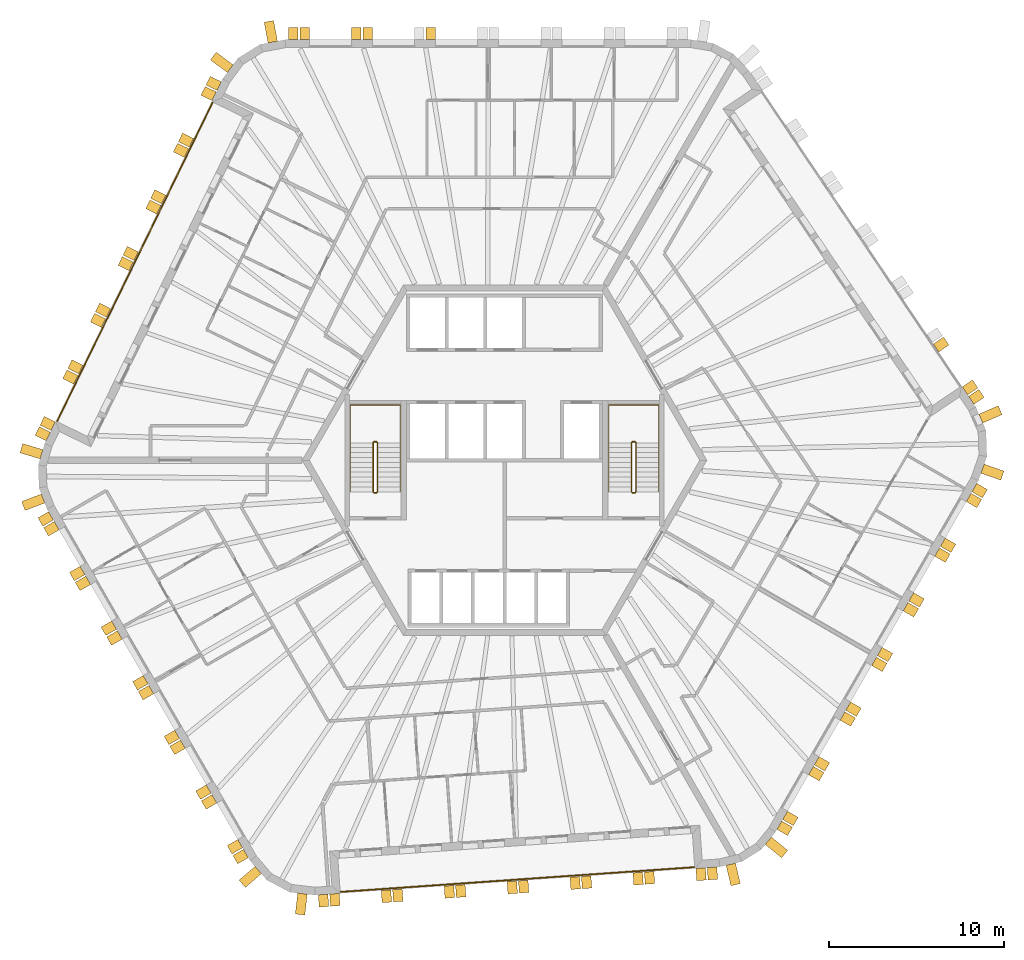
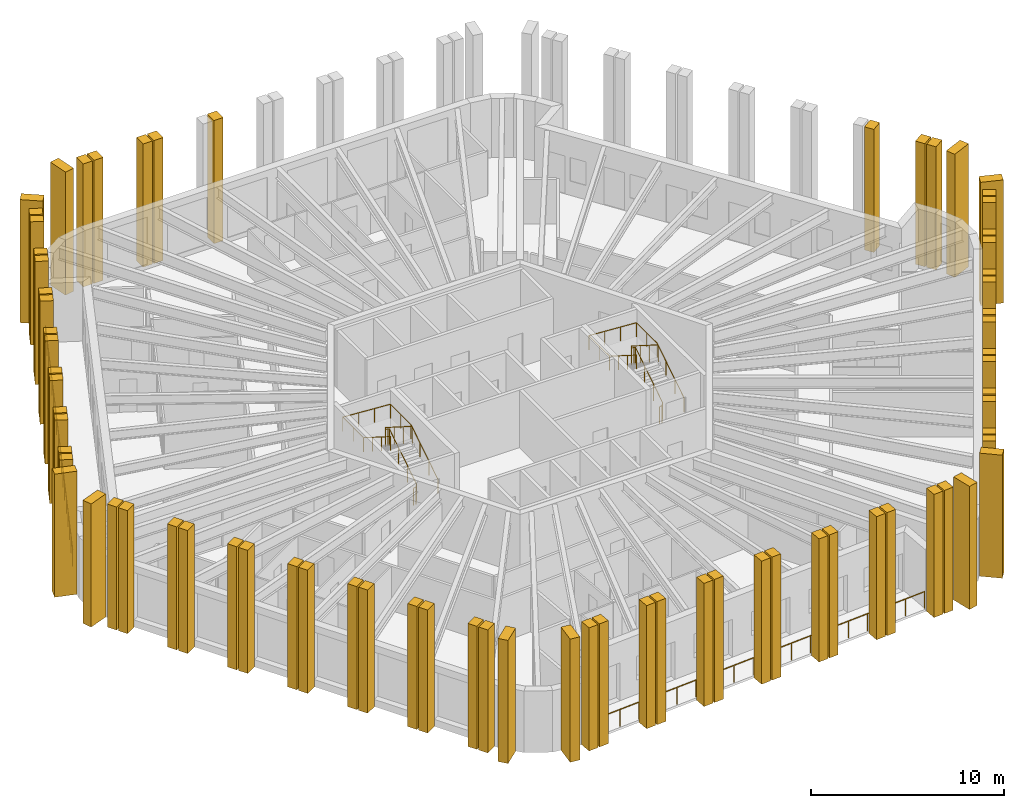
# One storey, part 11 of 12: 74 shading devices, 6 railings.
"""IFC4 building model written with IfcOpenShell, lengths in metres."""

from ifc_helpers import new_model, si_unit, direction, frame, origin, origin_2d, place, context, subcontext, project, spatial, polyline, circle, outline, extrude, material, layer, layer_set, type_object, element, save


model = new_model("IFC4")

# Units and contexts
model_context = context("Model", 3, precision=1e-05, world=origin(), true_north=direction((0.0, 1.0)))
body_context = subcontext(model_context, "Body", "Model", "MODEL_VIEW")
ifc_project = project(units=[si_unit("LENGTHUNIT", "METRE"), si_unit("AREAUNIT", "SQUARE_METRE"), si_unit("VOLUMEUNIT", "CUBIC_METRE"), si_unit("PLANEANGLEUNIT", "RADIAN"), si_unit("MASSUNIT", "GRAM", prefix="KILO")], contexts=[model_context])

# Site, building, storey
site_placement = place(None, origin())
site = spatial("IfcSite", under=ifc_project, at=site_placement, CompositionType="ELEMENT")
building_placement = place(site_placement, origin())
building = spatial("IfcBuilding", under=site, at=building_placement, Name="Tarnside Tower", CompositionType="ELEMENT")
storey_placement = place(building_placement, frame((0.0, 0.0, 361.199951171875)))
storey = spatial("IfcBuildingStorey", under=building, at=storey_placement, Name="L87", CompositionType="ELEMENT", Elevation=361.199951171875)

# Railings
ifc_material_1 = material(Name="Toughened glass", Category="glass")
railing_type_1 = type_object("IfcRailingType", Name="Glass guard 1100", PredefinedType="GUARDRAIL", material=ifc_material_1)
railing_1_placement = place(storey_placement, frame((-16.645263671875, 20.437744140625, 0.0)))
element("IfcRailing", 1, at=railing_1_placement, inside=storey, type_object=railing_type_1, Name="Loggia guard L87 F2", PredefinedType="GUARDRAIL", context=body_context, shape_type="SweptSolid", body=[
    extrude(circle(Radius=0.030029296875, at=origin_2d()), frame((0.0, 0.0, 1.070068359375), z_axis=(-0.438370743641, -0.898794242928, 0.0), x_axis=(0.898794242928, -0.438370743641, 0.0)), (0.0, 0.0, 1.0), 20.28173828125),
    extrude(circle(Radius=0.02490234375, at=origin_2d()), origin(), (0.0, 0.0, 1.0), 1.0400390625),
    extrude(circle(Radius=0.02490234375, at=origin_2d()), frame((-0.52294921875, -1.072265625, 0.0)), (0.0, 0.0, 1.0), 1.0400390625),
    extrude(circle(Radius=0.02490234375, at=origin_2d()), frame((-1.0458984375, -2.14453125, 0.0)), (0.0, 0.0, 1.0), 1.0400390625),
    extrude(circle(Radius=0.02490234375, at=origin_2d()), frame((-1.569091796875, -3.216796875, 0.0)), (0.0, 0.0, 1.0), 1.0400390625),
    extrude(circle(Radius=0.02490234375, at=origin_2d()), frame((-2.092041015625, -4.2890625, 0.0)), (0.0, 0.0, 1.0), 1.0400390625),
    extrude(circle(Radius=0.02490234375, at=origin_2d()), frame((-2.614990234375, -5.361572265625, 0.0)), (0.0, 0.0, 1.0), 1.0400390625),
    extrude(circle(Radius=0.02490234375, at=origin_2d()), frame((-3.137939453125, -6.433837890625, 0.0)), (0.0, 0.0, 1.0), 1.0400390625),
    extrude(circle(Radius=0.02490234375, at=origin_2d()), frame((-3.660888671875, -7.506103515625, 0.0)), (0.0, 0.0, 1.0), 1.0400390625),
    extrude(circle(Radius=0.02490234375, at=origin_2d()), frame((-4.183837890625, -8.578369140625, 0.0)), (0.0, 0.0, 1.0), 1.0400390625),
    extrude(circle(Radius=0.02490234375, at=origin_2d()), frame((-4.70703125, -9.650634765625, 0.0)), (0.0, 0.0, 1.0), 1.0400390625),
    extrude(circle(Radius=0.02490234375, at=origin_2d()), frame((-5.22998046875, -10.722900390625, 0.0)), (0.0, 0.0, 1.0), 1.0400390625),
    extrude(circle(Radius=0.02490234375, at=origin_2d()), frame((-5.7529296875, -11.795166015625, 0.0)), (0.0, 0.0, 1.0), 1.0400390625),
    extrude(circle(Radius=0.02490234375, at=origin_2d()), frame((-6.27587890625, -12.867431640625, 0.0)), (0.0, 0.0, 1.0), 1.0400390625),
    extrude(circle(Radius=0.02490234375, at=origin_2d()), frame((-6.798828125, -13.93994140625, 0.0)), (0.0, 0.0, 1.0), 1.0400390625),
    extrude(circle(Radius=0.02490234375, at=origin_2d()), frame((-7.32177734375, -15.01220703125, 0.0)), (0.0, 0.0, 1.0), 1.0400390625),
    extrude(circle(Radius=0.02490234375, at=origin_2d()), frame((-7.844970703125, -16.08447265625, 0.0)), (0.0, 0.0, 1.0), 1.0400390625),
    extrude(circle(Radius=0.02490234375, at=origin_2d()), frame((-8.367919921875, -17.15673828125, 0.0)), (0.0, 0.0, 1.0), 1.0400390625),
    extrude(circle(Radius=0.02490234375, at=origin_2d()), frame((-8.890869140625, -18.22900390625, 0.0)), (0.0, 0.0, 1.0), 1.0400390625),
])
railing_2_placement = place(storey_placement, frame((-9.376953125, -24.634033203125, 0.0)))
element("IfcRailing", 2, at=railing_2_placement, inside=storey, type_object=railing_type_1, Name="Loggia guard L87 F4", PredefinedType="GUARDRAIL", context=body_context, shape_type="SweptSolid", body=[
    extrude(circle(Radius=0.030029296875, at=origin_2d()), frame((0.0, 0.0, 1.070068359375), z_axis=(0.997563970542, 0.069757613753, 0.0), x_axis=(-0.069757613753, 0.997563970542, 0.0)), (0.0, 0.0, 1.0), 20.281494140625),
    extrude(circle(Radius=0.02490234375, at=origin_2d()), origin(), (0.0, 0.0, 1.0), 1.0400390625),
    extrude(circle(Radius=0.02490234375, at=origin_2d()), frame((1.190185546875, 0.083251953125, 0.0)), (0.0, 0.0, 1.0), 1.0400390625),
    extrude(circle(Radius=0.02490234375, at=origin_2d()), frame((2.38037109375, 0.16650390625, 0.0)), (0.0, 0.0, 1.0), 1.0400390625),
    extrude(circle(Radius=0.02490234375, at=origin_2d()), frame((3.5703125, 0.249755859375, 0.0)), (0.0, 0.0, 1.0), 1.0400390625),
    extrude(circle(Radius=0.02490234375, at=origin_2d()), frame((4.760498046875, 0.3330078125, 0.0)), (0.0, 0.0, 1.0), 1.0400390625),
    extrude(circle(Radius=0.02490234375, at=origin_2d()), frame((5.95068359375, 0.416015625, 0.0)), (0.0, 0.0, 1.0), 1.0400390625),
    extrude(circle(Radius=0.02490234375, at=origin_2d()), frame((7.140869140625, 0.499267578125, 0.0)), (0.0, 0.0, 1.0), 1.0400390625),
    extrude(circle(Radius=0.02490234375, at=origin_2d()), frame((8.330810546875, 0.58251953125, 0.0)), (0.0, 0.0, 1.0), 1.0400390625),
    extrude(circle(Radius=0.02490234375, at=origin_2d()), frame((9.52099609375, 0.665771484375, 0.0)), (0.0, 0.0, 1.0), 1.0400390625),
    extrude(circle(Radius=0.02490234375, at=origin_2d()), frame((10.711181640625, 0.7490234375, 0.0)), (0.0, 0.0, 1.0), 1.0400390625),
    extrude(circle(Radius=0.02490234375, at=origin_2d()), frame((11.9013671875, 0.832275390625, 0.0)), (0.0, 0.0, 1.0), 1.0400390625),
    extrude(circle(Radius=0.02490234375, at=origin_2d()), frame((13.09130859375, 0.91552734375, 0.0)), (0.0, 0.0, 1.0), 1.0400390625),
    extrude(circle(Radius=0.02490234375, at=origin_2d()), frame((14.281494140625, 0.998779296875, 0.0)), (0.0, 0.0, 1.0), 1.0400390625),
    extrude(circle(Radius=0.02490234375, at=origin_2d()), frame((15.4716796875, 1.081787109375, 0.0)), (0.0, 0.0, 1.0), 1.0400390625),
    extrude(circle(Radius=0.02490234375, at=origin_2d()), frame((16.661865234375, 1.1650390625, 0.0)), (0.0, 0.0, 1.0), 1.0400390625),
    extrude(circle(Radius=0.02490234375, at=origin_2d()), frame((17.851806640625, 1.248291015625, 0.0)), (0.0, 0.0, 1.0), 1.0400390625),
    extrude(circle(Radius=0.02490234375, at=origin_2d()), frame((19.0419921875, 1.33154296875, 0.0)), (0.0, 0.0, 1.0), 1.0400390625),
    extrude(circle(Radius=0.02490234375, at=origin_2d()), frame((20.232177734375, 1.414794921875, 0.0)), (0.0, 0.0, 1.0), 1.0400390625),
])

# Shading devices
ifc_material_2 = material(Name="Concrete C50/60 white precast", Category="concrete")
ifc_layer_1 = layer(ifc_material_2, 0.550048828125)
ifc_layer_set_1 = layer_set([ifc_layer_1], Name="Precast fin 550 x 1200")
shading_device_type_1 = type_object("IfcShadingDeviceType", Name="Precast fin 550 x 1200", PredefinedType="USERDEFINED", material=ifc_layer_set_1)
for number, where, z_axis, x_axis, name in (
    (3, (-13.2255859375, 23.86669921875, -0.14990234375), (0.982720646705, 0.18509492305, 0.0), (-0.18509492305, 0.982720646705, 0.0), "Precast fin"),
    (4, (-15.653564453125, 22.349609375, -0.14990234375), (0.597158591707, 0.802123192752, 0.0), (-0.802123192752, 0.597158591707, 0.0), "Precast fin"),
    (5, (-26.421630859375, 0.34228515625, -0.14990234375), (0.286803232717, 0.957989512314, 0.0), (-0.957989512314, 0.286803232717, 0.0), "Precast fin"),
    (6, (-26.33349609375, -2.1845703125, -0.14990234375), (-0.352930564719, 0.935649515837, 0.0), (-0.935649515837, -0.352930564719, 0.0), "Precast fin"),
    (7, (-14.056396484375, -23.38720703125, -0.14990234375), (-0.651657228826, 0.758513583345, 0.0), (-0.758513583345, -0.651657228826, 0.0), "Precast fin"),
    (8, (-11.528564453125, -24.731201171875, -0.14990234375), (-0.993238357741, 0.116092914131, 0.0), (-0.116092914131, -0.993238357741, 0.0), "Precast fin"),
    (9, (12.914306640625, -23.052978515625, -0.14990234375), (-0.973044870581, -0.230615870737, 0.0), (0.230615870737, -0.973044870581, 0.0), "Precast fin"),
    (10, (15.05859375, -21.713134765625, -0.14990234375), (-0.633830967394, -0.773471592738, 0.0), (0.773471592738, -0.633830967394, 0.0), "Precast fin"),
    (11, (27.281982421875, -0.4794921875, -0.14990234375), (-0.331063417879, -0.943608506396, 0.0), (0.943608506396, -0.331063417879, 0.0), "Precast fin"),
    (12, (27.18212890625, 2.381591796875, -0.14990234375), (0.396079766034, -0.918216106883, 0.0), (0.918216106883, 0.396079766034, 0.0), "Precast fin"),
):
    element("IfcShadingDevice", number, at=place(storey_placement, frame(where, z_axis=z_axis, x_axis=x_axis)), inside=storey, type_object=shading_device_type_1, Name=name, ObjectType="FIN", PredefinedType="USERDEFINED", context=body_context, shape_type="SweptSolid", body=[
        extrude(outline(polyline([(0.0, 0.0), (1.199951171875, 0.0), (1.199951171875, 7.800048828125), (0.0, 7.800048828125), (0.0, 0.0)])), frame((0.0, 0.0, -0.27490234375)), (0.0, 0.0, 1.0), 0.550048828125),
    ])
ifc_layer_2 = layer(ifc_material_2, 0.550048828125)
ifc_layer_set_2 = layer_set([ifc_layer_2], Name="Precast fin 550 x 700")
shading_device_type_2 = type_object("IfcShadingDeviceType", Name="Precast fin 550 x 700", PredefinedType="USERDEFINED", material=ifc_layer_set_2)
for number, where, z_axis, x_axis, name in (
    (13, (-4.20654296875, 24.0, -0.14990234375), (1.0, 0.0, 0.0), (0.0, 1.0, 0.0), "Precast fin"),
    (14, (-7.806640625, 24.0, -0.14990234375), (1.0, 0.0, 0.0), (0.0, 1.0, 0.0), "Precast fin"),
    (15, (-8.45654296875, 24.0, -0.14990234375), (1.0, 0.0, 0.0), (0.0, 1.0, 0.0), "Precast fin"),
    (16, (-11.406494140625, 24.0, -0.14990234375), (1.0, 0.0, 0.0), (0.0, 1.0, 0.0), "Precast fin"),
    (17, (-12.056640625, 24.0, -0.14990234375), (1.0, 0.0, 0.0), (0.0, 1.0, 0.0), "Precast fin"),
    (18, (-16.285888671875, 21.357177734375, -0.14990234375), (0.438371146789, 0.898794046299, 0.0), (-0.898794046299, 0.438371146789, 0.0), "Precast fin"),
    (19, (-16.57080078125, 20.773193359375, -0.14990234375), (0.438371146789, 0.898794046299, 0.0), (-0.898794046299, 0.438371146789, 0.0), "Precast fin"),
    (20, (-17.864013671875, 18.12158203125, -0.14990234375), (0.438371146789, 0.898794046299, 0.0), (-0.898794046299, 0.438371146789, 0.0), "Precast fin"),
    (21, (-18.14892578125, 17.537353515625, -0.14990234375), (0.438371146789, 0.898794046299, 0.0), (-0.898794046299, 0.438371146789, 0.0), "Precast fin"),
    (22, (-19.442138671875, 14.885986328125, -0.14990234375), (0.438371146789, 0.898794046299, 0.0), (-0.898794046299, 0.438371146789, 0.0), "Precast fin"),
    (23, (-19.72705078125, 14.3017578125, -0.14990234375), (0.438371146789, 0.898794046299, 0.0), (-0.898794046299, 0.438371146789, 0.0), "Precast fin"),
    (24, (-21.020263671875, 11.650390625, -0.14990234375), (0.438371146789, 0.898794046299, 0.0), (-0.898794046299, 0.438371146789, 0.0), "Precast fin"),
    (25, (-21.30517578125, 11.066162109375, -0.14990234375), (0.438371146789, 0.898794046299, 0.0), (-0.898794046299, 0.438371146789, 0.0), "Precast fin"),
    (26, (-22.598388671875, 8.41455078125, -0.14990234375), (0.438371146789, 0.898794046299, 0.0), (-0.898794046299, 0.438371146789, 0.0), "Precast fin"),
    (27, (-22.88330078125, 7.83056640625, -0.14990234375), (0.438371146789, 0.898794046299, 0.0), (-0.898794046299, 0.438371146789, 0.0), "Precast fin"),
    (28, (-24.176513671875, 5.178955078125, -0.14990234375), (0.438371146789, 0.898794046299, 0.0), (-0.898794046299, 0.438371146789, 0.0), "Precast fin"),
    (29, (-24.46142578125, 4.5947265625, -0.14990234375), (0.438371146789, 0.898794046299, 0.0), (-0.898794046299, 0.438371146789, 0.0), "Precast fin"),
    (30, (-25.754638671875, 1.943359375, -0.14990234375), (0.438371146789, 0.898794046299, 0.0), (-0.898794046299, 0.438371146789, 0.0), "Precast fin"),
    (31, (-26.03955078125, 1.359130859375, -0.14990234375), (0.438371146789, 0.898794046299, 0.0), (-0.898794046299, 0.438371146789, 0.0), "Precast fin"),
    (32, (-25.88134765625, -3.17236328125, -0.14990234375), (-0.5, 0.866025403784, 0.0), (-0.866025403784, -0.5, 0.0), "Precast fin"),
    (33, (-25.556396484375, -3.735107421875, -0.14990234375), (-0.5, 0.866025403784, 0.0), (-0.866025403784, -0.5, 0.0), "Precast fin"),
    (34, (-24.081298828125, -6.2900390625, -0.14990234375), (-0.5, 0.866025403784, 0.0), (-0.866025403784, -0.5, 0.0), "Precast fin"),
    (35, (-23.75634765625, -6.852783203125, -0.14990234375), (-0.5, 0.866025403784, 0.0), (-0.866025403784, -0.5, 0.0), "Precast fin"),
    (36, (-22.28125, -9.40771484375, -0.14990234375), (-0.5, 0.866025403784, 0.0), (-0.866025403784, -0.5, 0.0), "Precast fin"),
    (37, (-21.956298828125, -9.970458984375, -0.14990234375), (-0.5, 0.866025403784, 0.0), (-0.866025403784, -0.5, 0.0), "Precast fin"),
    (38, (-20.481201171875, -12.525390625, -0.14990234375), (-0.5, 0.866025403784, 0.0), (-0.866025403784, -0.5, 0.0), "Precast fin"),
    (39, (-20.15625, -13.08837890625, -0.14990234375), (-0.5, 0.866025403784, 0.0), (-0.866025403784, -0.5, 0.0), "Precast fin"),
    (40, (-18.681396484375, -15.64306640625, -0.14990234375), (-0.5, 0.866025403784, 0.0), (-0.866025403784, -0.5, 0.0), "Precast fin"),
    (41, (-18.356201171875, -16.2060546875, -0.14990234375), (-0.5, 0.866025403784, 0.0), (-0.866025403784, -0.5, 0.0), "Precast fin"),
    (42, (-16.88134765625, -18.7607421875, -0.14990234375), (-0.5, 0.866025403784, 0.0), (-0.866025403784, -0.5, 0.0), "Precast fin"),
    (43, (-16.556396484375, -19.32373046875, -0.14990234375), (-0.5, 0.866025403784, 0.0), (-0.866025403784, -0.5, 0.0), "Precast fin"),
    (44, (-15.081298828125, -21.87841796875, -0.14990234375), (-0.5, 0.866025403784, 0.0), (-0.866025403784, -0.5, 0.0), "Precast fin"),
    (45, (-14.75634765625, -22.44140625, -0.14990234375), (-0.5, 0.866025403784, 0.0), (-0.866025403784, -0.5, 0.0), "Precast fin"),
    (46, (-10.35302734375, -24.782470703125, -0.14990234375), (-0.99756405026, -0.069756473744, 0.0), (0.069756473744, -0.99756405026, 0.0), "Precast fin"),
    (47, (-9.70458984375, -24.7373046875, -0.14990234375), (-0.99756405026, -0.069756473744, 0.0), (0.069756473744, -0.99756405026, 0.0), "Precast fin"),
    (48, (-6.76171875, -24.531494140625, -0.14990234375), (-0.99756405026, -0.069756473744, 0.0), (0.069756473744, -0.99756405026, 0.0), "Precast fin"),
    (49, (-6.113525390625, -24.486083984375, -0.14990234375), (-0.99756405026, -0.069756473744, 0.0), (0.069756473744, -0.99756405026, 0.0), "Precast fin"),
    (50, (-3.170654296875, -24.2802734375, -0.14990234375), (-0.99756405026, -0.069756473744, 0.0), (0.069756473744, -0.99756405026, 0.0), "Precast fin"),
    (51, (-2.522216796875, -24.23486328125, -0.14990234375), (-0.99756405026, -0.069756473744, 0.0), (0.069756473744, -0.99756405026, 0.0), "Precast fin"),
    (52, (0.420654296875, -24.029296875, -0.14990234375), (-0.99756405026, -0.069756473744, 0.0), (0.069756473744, -0.99756405026, 0.0), "Precast fin"),
    (53, (1.069091796875, -23.98388671875, -0.14990234375), (-0.99756405026, -0.069756473744, 0.0), (0.069756473744, -0.99756405026, 0.0), "Precast fin"),
    (54, (4.011962890625, -23.778076171875, -0.14990234375), (-0.99756405026, -0.069756473744, 0.0), (0.069756473744, -0.99756405026, 0.0), "Precast fin"),
    (55, (4.66015625, -23.732666015625, -0.14990234375), (-0.99756405026, -0.069756473744, 0.0), (0.069756473744, -0.99756405026, 0.0), "Precast fin"),
    (56, (7.60302734375, -23.52685546875, -0.14990234375), (-0.99756405026, -0.069756473744, 0.0), (0.069756473744, -0.99756405026, 0.0), "Precast fin"),
    (57, (8.25146484375, -23.481689453125, -0.14990234375), (-0.99756405026, -0.069756473744, 0.0), (0.069756473744, -0.99756405026, 0.0), "Precast fin"),
    (58, (11.1943359375, -23.27587890625, -0.14990234375), (-0.99756405026, -0.069756473744, 0.0), (0.069756473744, -0.99756405026, 0.0), "Precast fin"),
    (59, (11.8427734375, -23.23046875, -0.14990234375), (-0.99756405026, -0.069756473744, 0.0), (0.069756473744, -0.99756405026, 0.0), "Precast fin"),
    (60, (15.68798828125, -20.82763671875, -0.14990234375), (-0.5, -0.866025403784, 0.0), (0.866025403784, -0.5, 0.0), "Precast fin"),
    (61, (16.012939453125, -20.264892578125, -0.14990234375), (-0.5, -0.866025403784, 0.0), (0.866025403784, -0.5, 0.0), "Precast fin"),
    (62, (17.488037109375, -17.7099609375, -0.14990234375), (-0.5, -0.866025403784, 0.0), (0.866025403784, -0.5, 0.0), "Precast fin"),
    (63, (17.81298828125, -17.147216796875, -0.14990234375), (-0.5, -0.866025403784, 0.0), (0.866025403784, -0.5, 0.0), "Precast fin"),
    (64, (19.287841796875, -14.59228515625, -0.14990234375), (-0.5, -0.866025403784, 0.0), (0.866025403784, -0.5, 0.0), "Precast fin"),
    (65, (19.613037109375, -14.029541015625, -0.14990234375), (-0.5, -0.866025403784, 0.0), (0.866025403784, -0.5, 0.0), "Precast fin"),
    (66, (21.087890625, -11.474609375, -0.14990234375), (-0.5, -0.866025403784, 0.0), (0.866025403784, -0.5, 0.0), "Precast fin"),
    (67, (21.412841796875, -10.91162109375, -0.14990234375), (-0.5, -0.866025403784, 0.0), (0.866025403784, -0.5, 0.0), "Precast fin"),
    (68, (22.887939453125, -8.35693359375, -0.14990234375), (-0.5, -0.866025403784, 0.0), (0.866025403784, -0.5, 0.0), "Precast fin"),
    (69, (23.212890625, -7.7939453125, -0.14990234375), (-0.5, -0.866025403784, 0.0), (0.866025403784, -0.5, 0.0), "Precast fin"),
    (70, (24.68798828125, -5.2392578125, -0.14990234375), (-0.5, -0.866025403784, 0.0), (0.866025403784, -0.5, 0.0), "Precast fin"),
    (71, (25.012939453125, -4.67626953125, -0.14990234375), (-0.5, -0.866025403784, 0.0), (0.866025403784, -0.5, 0.0), "Precast fin"),
    (72, (26.488037109375, -2.12158203125, -0.14990234375), (-0.5, -0.866025403784, 0.0), (0.866025403784, -0.5, 0.0), "Precast fin"),
    (73, (26.81298828125, -1.55859375, -0.14990234375), (-0.5, -0.866025403784, 0.0), (0.866025403784, -0.5, 0.0), "Precast fin"),
    (74, (26.638916015625, 3.42529296875, -0.14990234375), (0.559192903471, -0.829037572555, 0.0), (0.829037572555, 0.559192903471, 0.0), "Precast fin"),
    (75, (26.275390625, 3.964111328125, -0.14990234375), (0.559192903471, -0.829037572555, 0.0), (0.829037572555, 0.559192903471, 0.0), "Precast fin"),
    (76, (24.625732421875, 6.409912109375, -0.14990234375), (0.559192903471, -0.829037572555, 0.0), (0.829037572555, 0.559192903471, 0.0), "Precast fin"),
):
    element("IfcShadingDevice", number, at=place(storey_placement, frame(where, z_axis=z_axis, x_axis=x_axis)), inside=storey, type_object=shading_device_type_2, Name=name, ObjectType="FIN", PredefinedType="USERDEFINED", context=body_context, shape_type="SweptSolid", body=[
        extrude(outline(polyline([(0.0, 0.0), (0.699951171875, 0.0), (0.699951171875, 7.800048828125), (0.0, 7.800048828125), (0.0, 0.0)])), frame((0.0, 0.0, -0.27490234375)), (0.0, 0.0, 1.0), 0.550048828125),
    ])

# Railings
ifc_material_3 = material(Name="Stainless steel", Category="steel")
railing_type_2 = type_object("IfcRailingType", Name="Stair guard 1100", PredefinedType="GUARDRAIL", material=ifc_material_3)
railing_3_placement = place(storey_placement, frame((7.300048828125, -1.85009765625, 0.0)))
element("IfcRailing", 77, at=railing_3_placement, inside=storey, type_object=railing_type_2, Name="L87 ST1 stair guard 1", PredefinedType="GUARDRAIL", context=body_context, shape_type="SweptSolid", body=[
    extrude(circle(Radius=0.02392578125, at=origin_2d()), frame((0.0, 0.0, 1.076171875), z_axis=(1.0, 0.0, 0.0), x_axis=(0.0, 1.0, 0.0)), (0.0, 0.0, 1.0), 0.14990234375),
    extrude(circle(Radius=0.02392578125, at=origin_2d()), frame((0.14990234375, 0.0, 1.076171875), z_axis=(0.262233686654, 0.262233686654, 0.928691007369), x_axis=(-0.707106781187, 0.707106781187, 0.0)), (0.0, 0.0, 1.0), 0.19091796875),
    extrude(circle(Radius=0.02392578125, at=origin_2d()), frame((0.199951171875, 0.050048828125, 1.25341796875), z_axis=(0.0, 0.844908973607, 0.534910110503), x_axis=(-1.0, 0.0, 0.0)), (0.0, 0.0, 1.0), 3.31396484375),
    extrude(circle(Radius=0.02392578125, at=origin_2d()), frame((0.199951171875, 2.85009765625, 3.02587890625), z_axis=(-0.707106781187, 0.707106781187, 0.0), x_axis=(-0.707106781187, -0.707106781187, 0.0)), (0.0, 0.0, 1.0), 0.07080078125),
    extrude(circle(Radius=0.02392578125, at=origin_2d()), frame((0.14990234375, 2.900146484375, 3.02587890625), z_axis=(-1.0, 0.0, 0.0), x_axis=(0.0, -1.0, 0.0)), (0.0, 0.0, 1.0), 0.14990234375),
    extrude(circle(Radius=0.02392578125, at=origin_2d()), frame((0.0, 2.900146484375, 3.02587890625), z_axis=(-0.261922500866, -0.261922500866, 0.928866625022), x_axis=(0.707106781187, -0.707106781187, 0.0)), (0.0, 0.0, 1.0), 0.191162109375),
    extrude(circle(Radius=0.02392578125, at=origin_2d()), frame((-0.050048828125, 2.85009765625, 3.20361328125), z_axis=(0.0, -0.844908973607, 0.534910110503), x_axis=(1.0, 0.0, 0.0)), (0.0, 0.0, 1.0), 3.31396484375),
    extrude(circle(Radius=0.02099609375, at=origin_2d()), origin(), (0.0, 0.0, 1.0), 1.052001953125),
    extrude(circle(Radius=0.02099609375, at=origin_2d()), frame((0.14990234375, 0.0, 0.0)), (0.0, 0.0, 1.0), 1.052001953125),
    extrude(circle(Radius=0.02099609375, at=origin_2d()), frame((0.199951171875, 0.050048828125, 0.17724609375)), (0.0, 0.0, 1.0), 1.052001953125),
    extrude(circle(Radius=0.02099609375, at=origin_2d()), frame((0.199951171875, 0.9833984375, 0.76806640625)), (0.0, 0.0, 1.0), 1.052001953125),
    extrude(circle(Radius=0.02099609375, at=origin_2d()), frame((0.199951171875, 1.916748046875, 1.359130859375)), (0.0, 0.0, 1.0), 1.052001953125),
    extrude(circle(Radius=0.02099609375, at=origin_2d()), frame((0.199951171875, 2.85009765625, 1.949951171875)), (0.0, 0.0, 1.0), 1.052001953125),
    extrude(circle(Radius=0.02099609375, at=origin_2d()), frame((0.14990234375, 2.900146484375, 1.949951171875)), (0.0, 0.0, 1.0), 1.052001953125),
    extrude(circle(Radius=0.02099609375, at=origin_2d()), frame((0.0, 2.900146484375, 1.949951171875)), (0.0, 0.0, 1.0), 1.052001953125),
    extrude(circle(Radius=0.02099609375, at=origin_2d()), frame((-0.050048828125, 2.85009765625, 2.12744140625)), (0.0, 0.0, 1.0), 1.052001953125),
    extrude(circle(Radius=0.02099609375, at=origin_2d()), frame((-0.050048828125, 1.916748046875, 2.71826171875)), (0.0, 0.0, 1.0), 1.052001953125),
    extrude(circle(Radius=0.02099609375, at=origin_2d()), frame((-0.050048828125, 0.9833984375, 3.309326171875)), (0.0, 0.0, 1.0), 1.052001953125),
    extrude(circle(Radius=0.02099609375, at=origin_2d()), frame((-0.050048828125, 0.050048828125, 3.900146484375)), (0.0, 0.0, 1.0), 1.052001953125),
])
railing_4_placement = place(storey_placement, frame((-7.449951171875, -1.85009765625, 0.0)))
element("IfcRailing", 78, at=railing_4_placement, inside=storey, type_object=railing_type_2, Name="L87 ST2 stair guard 1", PredefinedType="GUARDRAIL", context=body_context, shape_type="SweptSolid", body=[
    extrude(circle(Radius=0.02392578125, at=origin_2d()), frame((0.0, 0.0, 1.076171875), z_axis=(1.0, 0.0, 0.0), x_axis=(0.0, 1.0, 0.0)), (0.0, 0.0, 1.0), 0.14990234375),
    extrude(circle(Radius=0.02392578125, at=origin_2d()), frame((0.14990234375, 0.0, 1.076171875), z_axis=(0.262233686654, 0.262233686654, 0.928691007369), x_axis=(-0.707106781187, 0.707106781187, 0.0)), (0.0, 0.0, 1.0), 0.19091796875),
    extrude(circle(Radius=0.02392578125, at=origin_2d()), frame((0.199951171875, 0.050048828125, 1.25341796875), z_axis=(0.0, 0.844908973607, 0.534910110503), x_axis=(-1.0, 0.0, 0.0)), (0.0, 0.0, 1.0), 3.31396484375),
    extrude(circle(Radius=0.02392578125, at=origin_2d()), frame((0.199951171875, 2.85009765625, 3.02587890625), z_axis=(-0.707106781187, 0.707106781187, 0.0), x_axis=(-0.707106781187, -0.707106781187, 0.0)), (0.0, 0.0, 1.0), 0.07080078125),
    extrude(circle(Radius=0.02392578125, at=origin_2d()), frame((0.14990234375, 2.900146484375, 3.02587890625), z_axis=(-1.0, 0.0, 0.0), x_axis=(0.0, -1.0, 0.0)), (0.0, 0.0, 1.0), 0.14990234375),
    extrude(circle(Radius=0.02392578125, at=origin_2d()), frame((0.0, 2.900146484375, 3.02587890625), z_axis=(-0.261922500866, -0.261922500866, 0.928866625022), x_axis=(0.707106781187, -0.707106781187, 0.0)), (0.0, 0.0, 1.0), 0.191162109375),
    extrude(circle(Radius=0.02392578125, at=origin_2d()), frame((-0.050048828125, 2.85009765625, 3.20361328125), z_axis=(0.0, -0.844908973607, 0.534910110503), x_axis=(1.0, 0.0, 0.0)), (0.0, 0.0, 1.0), 3.31396484375),
    extrude(circle(Radius=0.02099609375, at=origin_2d()), origin(), (0.0, 0.0, 1.0), 1.052001953125),
    extrude(circle(Radius=0.02099609375, at=origin_2d()), frame((0.14990234375, 0.0, 0.0)), (0.0, 0.0, 1.0), 1.052001953125),
    extrude(circle(Radius=0.02099609375, at=origin_2d()), frame((0.199951171875, 0.050048828125, 0.17724609375)), (0.0, 0.0, 1.0), 1.052001953125),
    extrude(circle(Radius=0.02099609375, at=origin_2d()), frame((0.199951171875, 0.9833984375, 0.76806640625)), (0.0, 0.0, 1.0), 1.052001953125),
    extrude(circle(Radius=0.02099609375, at=origin_2d()), frame((0.199951171875, 1.916748046875, 1.359130859375)), (0.0, 0.0, 1.0), 1.052001953125),
    extrude(circle(Radius=0.02099609375, at=origin_2d()), frame((0.199951171875, 2.85009765625, 1.949951171875)), (0.0, 0.0, 1.0), 1.052001953125),
    extrude(circle(Radius=0.02099609375, at=origin_2d()), frame((0.14990234375, 2.900146484375, 1.949951171875)), (0.0, 0.0, 1.0), 1.052001953125),
    extrude(circle(Radius=0.02099609375, at=origin_2d()), frame((0.0, 2.900146484375, 1.949951171875)), (0.0, 0.0, 1.0), 1.052001953125),
    extrude(circle(Radius=0.02099609375, at=origin_2d()), frame((-0.050048828125, 2.85009765625, 2.12744140625)), (0.0, 0.0, 1.0), 1.052001953125),
    extrude(circle(Radius=0.02099609375, at=origin_2d()), frame((-0.050048828125, 1.916748046875, 2.71826171875)), (0.0, 0.0, 1.0), 1.052001953125),
    extrude(circle(Radius=0.02099609375, at=origin_2d()), frame((-0.050048828125, 0.9833984375, 3.309326171875)), (0.0, 0.0, 1.0), 1.052001953125),
    extrude(circle(Radius=0.02099609375, at=origin_2d()), frame((-0.050048828125, 0.050048828125, 3.900146484375)), (0.0, 0.0, 1.0), 1.052001953125),
])
railing_type_3 = type_object("IfcRailingType", Name="Stair handrail 900", PredefinedType="HANDRAIL", material=ifc_material_3)
railing_5_placement = place(storey_placement, frame((8.800048828125, -1.800048828125, 0.17724609375)))
element("IfcRailing", 79, at=railing_5_placement, inside=storey, type_object=railing_type_3, Name="L87 ST1 stair handrail 1", PredefinedType="HANDRAIL", context=body_context, shape_type="SweptSolid", body=[
    extrude(circle(Radius=0.02392578125, at=origin_2d()), frame((0.0, 0.0, 0.8857421875), z_axis=(0.0, 0.844908973607, 0.534910110503), x_axis=(-1.0, 0.0, 0.0)), (0.0, 0.0, 1.0), 3.31396484375),
    extrude(circle(Radius=0.02392578125, at=origin_2d()), frame((0.0, 2.800048828125, 2.65869140625), z_axis=(0.0, 1.0, 0.0), x_axis=(-1.0, 0.0, 0.0)), (0.0, 0.0, 1.0), 2.14990234375),
    extrude(circle(Radius=0.02392578125, at=origin_2d()), frame((0.0, 4.949951171875, 2.65869140625), z_axis=(-0.998066525363, 0.0, 0.062154733933), x_axis=(0.0, -1.0, 0.0)), (0.0, 0.0, 1.0), 2.855712890625),
    extrude(circle(Radius=0.02392578125, at=origin_2d()), frame((-2.85009765625, 4.949951171875, 2.8359375), z_axis=(0.0, -1.0, 0.0), x_axis=(1.0, 0.0, 0.0)), (0.0, 0.0, 1.0), 2.14990234375),
    extrude(circle(Radius=0.02392578125, at=origin_2d()), frame((-2.85009765625, 2.800048828125, 2.8359375), z_axis=(0.0, -0.844908973607, 0.534910110503), x_axis=(1.0, 0.0, 0.0)), (0.0, 0.0, 1.0), 3.31396484375),
    extrude(circle(Radius=0.02099609375, at=origin_2d()), origin(), (0.0, 0.0, 1.0), 0.86181640625),
    extrude(circle(Radius=0.02099609375, at=origin_2d()), frame((0.0, 0.933349609375, 0.5908203125)), (0.0, 0.0, 1.0), 0.86181640625),
    extrude(circle(Radius=0.02099609375, at=origin_2d()), frame((0.0, 1.86669921875, 1.181884765625)), (0.0, 0.0, 1.0), 0.86181640625),
    extrude(circle(Radius=0.02099609375, at=origin_2d()), frame((0.0, 2.800048828125, 1.772705078125)), (0.0, 0.0, 1.0), 0.86181640625),
    extrude(circle(Radius=0.02099609375, at=origin_2d()), frame((0.0, 3.875, 1.772705078125)), (0.0, 0.0, 1.0), 0.86181640625),
    extrude(circle(Radius=0.02099609375, at=origin_2d()), frame((0.0, 4.949951171875, 1.772705078125)), (0.0, 0.0, 1.0), 0.86181640625),
    extrude(circle(Radius=0.02099609375, at=origin_2d()), frame((-0.949951171875, 4.949951171875, 1.831787109375)), (0.0, 0.0, 1.0), 0.86181640625),
    extrude(circle(Radius=0.02099609375, at=origin_2d()), frame((-1.900146484375, 4.949951171875, 1.89111328125)), (0.0, 0.0, 1.0), 0.86181640625),
    extrude(circle(Radius=0.02099609375, at=origin_2d()), frame((-2.85009765625, 4.949951171875, 1.9501953125)), (0.0, 0.0, 1.0), 0.86181640625),
    extrude(circle(Radius=0.02099609375, at=origin_2d()), frame((-2.85009765625, 3.875, 1.9501953125)), (0.0, 0.0, 1.0), 0.86181640625),
    extrude(circle(Radius=0.02099609375, at=origin_2d()), frame((-2.85009765625, 2.800048828125, 1.9501953125)), (0.0, 0.0, 1.0), 0.86181640625),
    extrude(circle(Radius=0.02099609375, at=origin_2d()), frame((-2.85009765625, 1.86669921875, 2.541015625)), (0.0, 0.0, 1.0), 0.86181640625),
    extrude(circle(Radius=0.02099609375, at=origin_2d()), frame((-2.85009765625, 0.933349609375, 3.132080078125)), (0.0, 0.0, 1.0), 0.86181640625),
    extrude(circle(Radius=0.02099609375, at=origin_2d()), frame((-2.85009765625, 0.0, 3.722900390625)), (0.0, 0.0, 1.0), 0.86181640625),
])
railing_6_placement = place(storey_placement, frame((-5.949951171875, -1.800048828125, 0.17724609375)))
element("IfcRailing", 80, at=railing_6_placement, inside=storey, type_object=railing_type_3, Name="L87 ST2 stair handrail 1", PredefinedType="HANDRAIL", context=body_context, shape_type="SweptSolid", body=[
    extrude(circle(Radius=0.02392578125, at=origin_2d()), frame((0.0, 0.0, 0.8857421875), z_axis=(0.0, 0.844908973607, 0.534910110503), x_axis=(-1.0, 0.0, 0.0)), (0.0, 0.0, 1.0), 3.31396484375),
    extrude(circle(Radius=0.02392578125, at=origin_2d()), frame((0.0, 2.800048828125, 2.65869140625), z_axis=(0.0, 1.0, 0.0), x_axis=(-1.0, 0.0, 0.0)), (0.0, 0.0, 1.0), 2.14990234375),
    extrude(circle(Radius=0.02392578125, at=origin_2d()), frame((0.0, 4.949951171875, 2.65869140625), z_axis=(-0.998066525363, 0.0, 0.062154733933), x_axis=(0.0, -1.0, 0.0)), (0.0, 0.0, 1.0), 2.855712890625),
    extrude(circle(Radius=0.02392578125, at=origin_2d()), frame((-2.85009765625, 4.949951171875, 2.8359375), z_axis=(0.0, -1.0, 0.0), x_axis=(1.0, 0.0, 0.0)), (0.0, 0.0, 1.0), 2.14990234375),
    extrude(circle(Radius=0.02392578125, at=origin_2d()), frame((-2.85009765625, 2.800048828125, 2.8359375), z_axis=(0.0, -0.844908973607, 0.534910110503), x_axis=(1.0, 0.0, 0.0)), (0.0, 0.0, 1.0), 3.31396484375),
    extrude(circle(Radius=0.02099609375, at=origin_2d()), origin(), (0.0, 0.0, 1.0), 0.86181640625),
    extrude(circle(Radius=0.02099609375, at=origin_2d()), frame((0.0, 0.933349609375, 0.5908203125)), (0.0, 0.0, 1.0), 0.86181640625),
    extrude(circle(Radius=0.02099609375, at=origin_2d()), frame((0.0, 1.86669921875, 1.181884765625)), (0.0, 0.0, 1.0), 0.86181640625),
    extrude(circle(Radius=0.02099609375, at=origin_2d()), frame((0.0, 2.800048828125, 1.772705078125)), (0.0, 0.0, 1.0), 0.86181640625),
    extrude(circle(Radius=0.02099609375, at=origin_2d()), frame((0.0, 3.875, 1.772705078125)), (0.0, 0.0, 1.0), 0.86181640625),
    extrude(circle(Radius=0.02099609375, at=origin_2d()), frame((0.0, 4.949951171875, 1.772705078125)), (0.0, 0.0, 1.0), 0.86181640625),
    extrude(circle(Radius=0.02099609375, at=origin_2d()), frame((-0.949951171875, 4.949951171875, 1.831787109375)), (0.0, 0.0, 1.0), 0.86181640625),
    extrude(circle(Radius=0.02099609375, at=origin_2d()), frame((-1.900146484375, 4.949951171875, 1.89111328125)), (0.0, 0.0, 1.0), 0.86181640625),
    extrude(circle(Radius=0.02099609375, at=origin_2d()), frame((-2.85009765625, 4.949951171875, 1.9501953125)), (0.0, 0.0, 1.0), 0.86181640625),
    extrude(circle(Radius=0.02099609375, at=origin_2d()), frame((-2.85009765625, 3.875, 1.9501953125)), (0.0, 0.0, 1.0), 0.86181640625),
    extrude(circle(Radius=0.02099609375, at=origin_2d()), frame((-2.85009765625, 2.800048828125, 1.9501953125)), (0.0, 0.0, 1.0), 0.86181640625),
    extrude(circle(Radius=0.02099609375, at=origin_2d()), frame((-2.85009765625, 1.86669921875, 2.541015625)), (0.0, 0.0, 1.0), 0.86181640625),
    extrude(circle(Radius=0.02099609375, at=origin_2d()), frame((-2.85009765625, 0.933349609375, 3.132080078125)), (0.0, 0.0, 1.0), 0.86181640625),
    extrude(circle(Radius=0.02099609375, at=origin_2d()), frame((-2.85009765625, 0.0, 3.722900390625)), (0.0, 0.0, 1.0), 0.86181640625),
])

save(model, "model.ifc")
